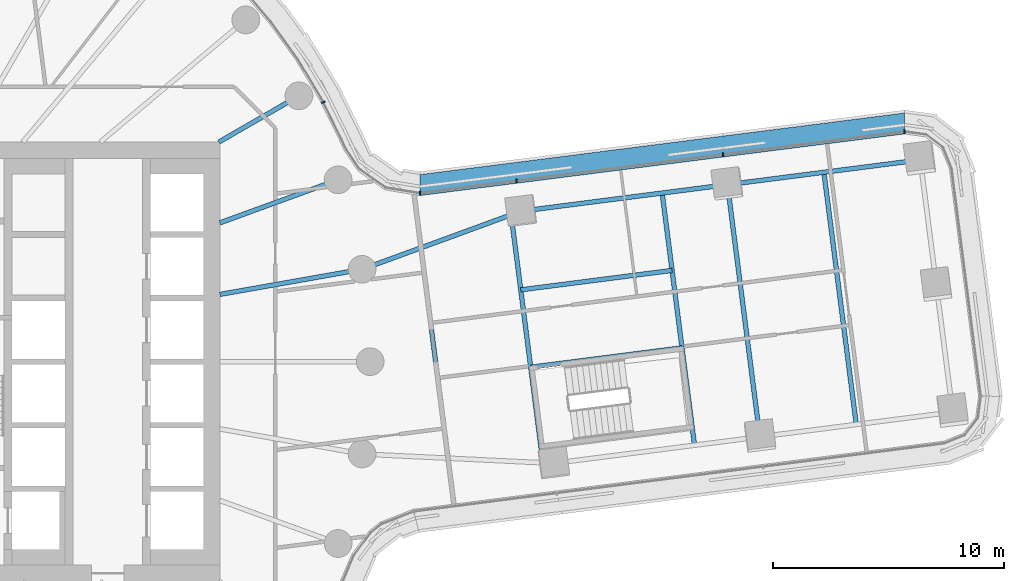
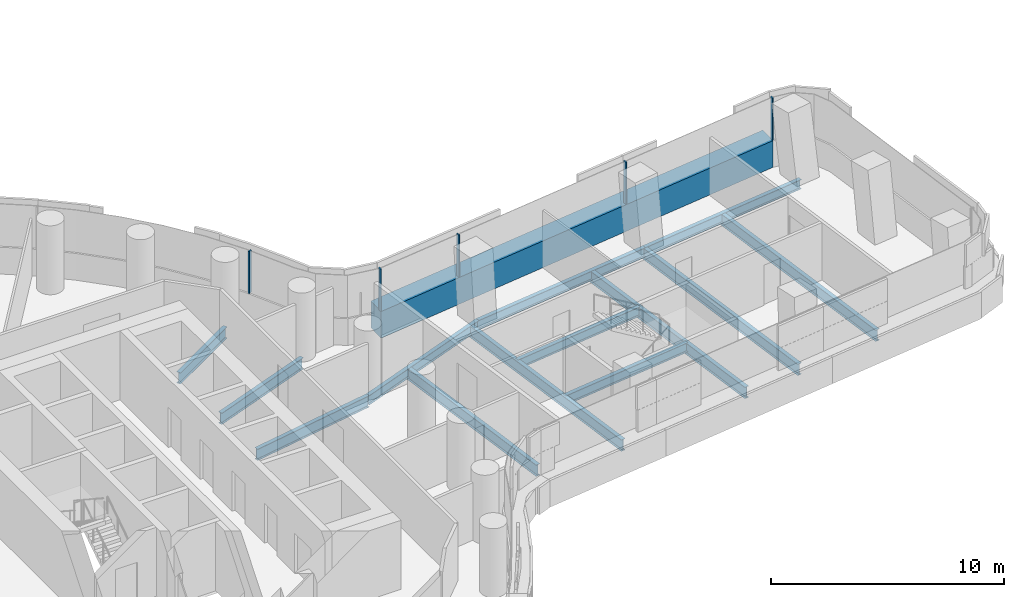
# One storey, part 11 of 31: 13 beams, 6 members, 2 elements without a shape of their own.
"""IFC4 building model written with IfcOpenShell, lengths in metres."""

from ifc_helpers import new_model, si_unit, direction, frame, origin, origin_2d, place, context, subcontext, project, spatial, polyline, rectangle, i_section, outline, extrude, material, layer, layer_set, material_profile, profile_set, type_object, element, aggregate, save


model = new_model("IFC4")

# Units and contexts
model_context = context("Model", 3, precision=1e-05, world=origin(), true_north=direction((0.0, 1.0)))
body_context = subcontext(model_context, "Body", "Model", "MODEL_VIEW")
ifc_project = project(units=[si_unit("LENGTHUNIT", "METRE"), si_unit("AREAUNIT", "SQUARE_METRE"), si_unit("VOLUMEUNIT", "CUBIC_METRE"), si_unit("PLANEANGLEUNIT", "RADIAN"), si_unit("MASSUNIT", "GRAM", prefix="KILO")], contexts=[model_context])

# Site, building, storey
site_placement = place(None, origin())
site = spatial("IfcSite", under=ifc_project, at=site_placement, CompositionType="ELEMENT")
building_placement = place(site_placement, origin())
building = spatial("IfcBuilding", under=site, at=building_placement, Name="Tamarind Cross Interchange Tower", CompositionType="ELEMENT")
storey_placement = place(building_placement, frame((0.0, 0.0, 60.25)))
storey = spatial("IfcBuildingStorey", under=building, at=storey_placement, Name="L13", CompositionType="ELEMENT", Elevation=60.25)

# Beams
ifc_material_1 = material(Name="Steel Q355B", Category="steel")
ifc_material_profile_1 = material_profile(ifc_material_1, i_section(OverallWidth=0.198974609375, OverallDepth=0.49609375, WebThickness=0.009033203125, FlangeThickness=0.013916015625, FilletRadius=0.012939453125, at=origin_2d()), Name="HN 496x199x9x14")
ifc_profile_set_1 = profile_set([ifc_material_profile_1], Name="Steel Q355B")
beam_type_1 = type_object("IfcBeamType", Name="Composite beam HN 496x199x9x14 Q355B", PredefinedType="BEAM", material=ifc_profile_set_1)
beam_1_placement = place(storey_placement, frame((46.7998046875, 8.72802734375, -0.387939453125), z_axis=(-0.99186334483, -0.127307129349, 0.0), x_axis=(0.127307129349, -0.99186334483, 0.0)))
element("IfcBeam", 1, at=beam_1_placement, inside=storey, type_object=beam_type_1, Name="Beam E-edgeep2", PredefinedType="BEAM", context=body_context, shape_type="SweptSolid", body=[
    extrude(i_section(OverallWidth=0.198974609375, OverallDepth=0.49609375, WebThickness=0.009033203125, FlangeThickness=0.013916015625, FilletRadius=0.012939453125, at=origin_2d()), origin(), (0.0, 0.0, 1.0), 8.4091796875),
])
beam_2_placement = place(storey_placement, frame((38.458984375, 7.657470703125, -0.387939453125), z_axis=(-0.991866918973, -0.127279279724, 0.0), x_axis=(0.127279279724, -0.991866918973, 0.0)))
element("IfcBeam", 2, at=beam_2_placement, inside=storey, type_object=beam_type_1, Name="Beam E-edgeep3", PredefinedType="BEAM", context=body_context, shape_type="SweptSolid", body=[
    extrude(i_section(OverallWidth=0.198974609375, OverallDepth=0.49609375, WebThickness=0.009033203125, FlangeThickness=0.013916015625, FilletRadius=0.012939453125, at=origin_2d()), origin(), (0.0, 0.0, 1.0), 9.0),
])
beam_3_placement = place(storey_placement, frame((29.5322265625, 6.511962890625, -0.387939453125), z_axis=(-0.939104758982, -0.343630981805, 0.0), x_axis=(0.343630981805, -0.939104758982, 0.0)))
element("IfcBeam", 3, at=beam_3_placement, inside=storey, type_object=beam_type_1, Name="Beam E-linkep", PredefinedType="BEAM", context=body_context, shape_type="SweptSolid", body=[
    extrude(i_section(OverallWidth=0.198974609375, OverallDepth=0.49609375, WebThickness=0.009033203125, FlangeThickness=0.013916015625, FilletRadius=0.012939453125, at=origin_2d()), origin(), (0.0, 0.0, 1.0), 7.327880859375),
])
beam_4_placement = place(storey_placement, frame((29.9453125, -0.240478515625, -0.387939453125), z_axis=(0.991865625356, 0.127289360267, 0.0), x_axis=(-0.127289360267, 0.991865625356, 0.0)))
element("IfcBeam", 4, at=beam_4_placement, inside=storey, type_object=beam_type_1, Name="Beam E-tr1", PredefinedType="BEAM", context=body_context, shape_type="SweptSolid", body=[
    extrude(i_section(OverallWidth=0.198974609375, OverallDepth=0.49609375, WebThickness=0.009033203125, FlangeThickness=0.013916015625, FilletRadius=0.012939453125, at=origin_2d()), origin(), (0.0, 0.0, 1.0), 6.599853515625),
])
beam_5_placement = place(storey_placement, frame((29.515625, 3.10693359375, -0.387939453125), z_axis=(0.991861554001, 0.12732108111, 0.0), x_axis=(-0.12732108111, 0.991861554001, 0.0)))
element("IfcBeam", 5, at=beam_5_placement, inside=storey, type_object=beam_type_1, Name="Beam E-stripp", PredefinedType="BEAM", context=body_context, shape_type="SweptSolid", body=[
    extrude(i_section(OverallWidth=0.198974609375, OverallDepth=0.49609375, WebThickness=0.009033203125, FlangeThickness=0.013916015625, FilletRadius=0.012939453125, at=origin_2d()), origin(), (0.0, 0.0, 1.0), 6.60009765625),
])
ifc_material_profile_2 = material_profile(ifc_material_1, i_section(OverallWidth=0.198974609375, OverallDepth=0.595947265625, WebThickness=0.010009765625, FlangeThickness=0.014892578125, FilletRadius=0.012939453125, at=origin_2d()), Name="HN 596x199x10x15")
ifc_profile_set_2 = profile_set([ifc_material_profile_2], Name="Steel Q355B")
beam_type_2 = type_object("IfcBeamType", Name="Composite beam HN 596x199x10x15 Q355B", PredefinedType="BEAM", material=ifc_profile_set_2)
beam_6_placement = place(storey_placement, frame((22.650634765625, 3.993896484375, -0.43798828125), z_axis=(-0.984809127561, -0.173640382036, 0.0), x_axis=(0.173640382036, -0.984809127561, 0.0)))
element("IfcBeam", 6, at=beam_6_placement, inside=storey, type_object=beam_type_2, Name="Beam HH01", PredefinedType="BEAM", context=body_context, shape_type="SweptSolid", body=[
    extrude(i_section(OverallWidth=0.198974609375, OverallDepth=0.595947265625, WebThickness=0.010009765625, FlangeThickness=0.014892578125, FilletRadius=0.012939453125, at=origin_2d()), origin(), (0.0, 0.0, 1.0), 6.24560546875),
])
beam_7_placement = place(storey_placement, frame((21.613037109375, 7.866455078125, -0.43798828125), z_axis=(-0.939701685589, -0.341995236956, 0.0), x_axis=(0.341995236956, -0.939701685589, 0.0)))
element("IfcBeam", 7, at=beam_7_placement, inside=storey, type_object=beam_type_2, Name="Beam HH02", PredefinedType="BEAM", context=body_context, shape_type="SweptSolid", body=[
    extrude(i_section(OverallWidth=0.198974609375, OverallDepth=0.595947265625, WebThickness=0.010009765625, FlangeThickness=0.014892578125, FilletRadius=0.012939453125, at=origin_2d()), origin(), (0.0, 0.0, 1.0), 5.441162109375),
])
beam_8_placement = place(storey_placement, frame((19.918701171875, 11.5, -0.43798828125), z_axis=(-0.866026010844, -0.49999894854, 0.0), x_axis=(0.49999894854, -0.866026010844, 0.0)))
element("IfcBeam", 8, at=beam_8_placement, inside=storey, type_object=beam_type_2, Name="Beam HH03", PredefinedType="BEAM", context=body_context, shape_type="SweptSolid", body=[
    extrude(i_section(OverallWidth=0.198974609375, OverallDepth=0.595947265625, WebThickness=0.010009765625, FlangeThickness=0.014892578125, FilletRadius=0.012939453125, at=origin_2d()), origin(), (0.0, 0.0, 1.0), 4.0),
])
ifc_material_profile_3 = material_profile(ifc_material_1, i_section(OverallWidth=0.199951171875, OverallDepth=0.60009765625, WebThickness=0.010986328125, FlangeThickness=0.01708984375, FilletRadius=0.012939453125, at=origin_2d()), Name="HN 600x200x11x17")
ifc_profile_set_3 = profile_set([ifc_material_profile_3], Name="Steel Q355B")
beam_type_3 = type_object("IfcBeamType", Name="Composite beam HN 600x200x11x17 Q355B", PredefinedType="BEAM", material=ifc_profile_set_3)
beam_9_placement = place(storey_placement, frame((30.47607421875, -4.37646484375, -0.43994140625), z_axis=(-0.127308922386, 0.991863114689, 0.0), x_axis=(-0.991863114689, -0.127308922386, 0.0)))
element("IfcBeam", 9, at=beam_9_placement, inside=storey, type_object=beam_type_3, Name="Beam E-x298", PredefinedType="BEAM", context=body_context, shape_type="SweptSolid", body=[
    extrude(i_section(OverallWidth=0.199951171875, OverallDepth=0.60009765625, WebThickness=0.010986328125, FlangeThickness=0.01708984375, FilletRadius=0.012939453125, at=origin_2d()), origin(), (0.0, 0.0, 1.0), 10.81787109375),
])
beam_10_placement = place(storey_placement, frame((37.032470703125, -3.61572265625, -0.43994140625), z_axis=(-0.127287492142, 0.991865865097, 0.0), x_axis=(-0.991865865097, -0.127287492142, 0.0)))
element("IfcBeam", 10, at=beam_10_placement, inside=storey, type_object=beam_type_3, Name="Beam E-x364", PredefinedType="BEAM", context=body_context, shape_type="SweptSolid", body=[
    extrude(i_section(OverallWidth=0.199951171875, OverallDepth=0.60009765625, WebThickness=0.010986328125, FlangeThickness=0.01708984375, FilletRadius=0.012939453125, at=origin_2d()), origin(), (0.0, 0.0, 1.0), 10.999755859375),
])
beam_11_placement = place(storey_placement, frame((39.859375, -3.2529296875, -0.43994140625), z_axis=(-0.127309327301, 0.991863062717, 0.0), x_axis=(-0.991863062717, -0.127309327301, 0.0)))
element("IfcBeam", 11, at=beam_11_placement, inside=storey, type_object=beam_type_3, Name="Beam E-x393", PredefinedType="BEAM", context=body_context, shape_type="SweptSolid", body=[
    extrude(i_section(OverallWidth=0.199951171875, OverallDepth=0.60009765625, WebThickness=0.010986328125, FlangeThickness=0.01708984375, FilletRadius=0.012939453125, at=origin_2d()), origin(), (0.0, 0.0, 1.0), 11.0),
])
beam_12_placement = place(storey_placement, frame((26.3671875, -4.175537109375, -0.43994140625), z_axis=(-0.127305256174, 0.991863585253, 0.0), x_axis=(-0.991863585253, -0.127305256174, 0.0)))
element("IfcBeam", 12, at=beam_12_placement, inside=storey, type_object=beam_type_3, Name="Beam E-x258", PredefinedType="BEAM", context=body_context, shape_type="SweptSolid", body=[
    extrude(i_section(OverallWidth=0.199951171875, OverallDepth=0.60009765625, WebThickness=0.010986328125, FlangeThickness=0.01708984375, FilletRadius=0.012939453125, at=origin_2d()), origin(), (0.0, 0.0, 1.0), 9.176513671875),
])
beam_13_placement = place(storey_placement, frame((44.02978515625, -2.7177734375, -0.43994140625), z_axis=(-0.12730652475, 0.991863422431, 0.0), x_axis=(-0.991863422431, -0.12730652475, 0.0)))
element("IfcBeam", 13, at=beam_13_placement, inside=storey, type_object=beam_type_3, Name="Beam E-x435", PredefinedType="BEAM", context=body_context, shape_type="SweptSolid", body=[
    extrude(i_section(OverallWidth=0.199951171875, OverallDepth=0.60009765625, WebThickness=0.010986328125, FlangeThickness=0.01708984375, FilletRadius=0.012939453125, at=origin_2d()), origin(), (0.0, 0.0, 1.0), 11.000244140625),
])

# Curtain wall, members
ifc_material_2 = material(Name="Aluminium 6063-T6", Category="aluminium")
ifc_layer = layer(ifc_material_2, 0.159912109375)
ifc_layer_set = layer_set([ifc_layer], Name="Aluminium 6063-T6")
curtain_wall_type = type_object("IfcCurtainWallType", Name="Office curtain wall, 9.0 m bays", PredefinedType="NOTDEFINED", material=ifc_layer_set)
curtain_wall_1_placement = place(storey_placement, origin())
curtain_wall_1 = element("IfcCurtainWall", 14, at=curtain_wall_1_placement, inside=storey, type_object=curtain_wall_type, Name="CWS-L13-09", PredefinedType="NOTDEFINED")
ifc_material_3 = material(Name="Aluminium and insulated spandrel panel", Category="aluminium")
member_type_1 = type_object("IfcMemberType", Name="Floor-edge blade transom", PredefinedType="USERDEFINED", material=ifc_material_3)
member_1_placement = place(storey_placement, origin())
member_1 = element("IfcMember", 15, at=member_1_placement, type_object=member_type_1, Name="CWT-L13-09", ObjectType="TRANSOM", PredefinedType="USERDEFINED", context=body_context, shape_type="SweptSolid", body=[
    extrude(outline(polyline([(46.11181640625, 9.849609375), (25.14892578125, 7.18359375), (25.16455078125, 8.0927734375), (46.115234375, 10.75732421875), (46.11181640625, 9.849609375)])), origin(), (0.0, 0.0, 1.0), 1.39990234375),
])
ifc_material_profile_4 = material_profile(ifc_material_2, rectangle(XDim=0.06005859375, YDim=0.159912109375, at=origin_2d()), Name="Mullion CW1")
ifc_profile_set_4 = profile_set([ifc_material_profile_4], Name="Aluminium 6063-T6")
member_type_2 = type_object("IfcMemberType", Name="Mullion CW1", PredefinedType="MULLION", material=ifc_profile_set_4)
member_2_placement = place(storey_placement, frame((46.112060546875, 9.950439453125, 1.39990234375), z_axis=(0.0, 0.0, 1.0), x_axis=(-0.999992675258, 0.003827457335, 0.0)))
member_2 = element("IfcMember", 16, at=member_2_placement, type_object=member_type_2, Name="CWM-L13-09-00", PredefinedType="MULLION", context=body_context, shape_type="SweptSolid", body=[
    extrude(rectangle(XDim=0.06005859375, YDim=0.159912109375, at=origin_2d()), origin(), (0.0, 0.0, 1.0), 2.210205078125),
])
member_3_placement = place(storey_placement, frame((38.265380859375, 8.95263671875, 1.39990234375), z_axis=(0.0, 0.0, 1.0), x_axis=(-0.992009784455, -0.126160958881, 0.0)))
member_3 = element("IfcMember", 17, at=member_3_placement, type_object=member_type_2, Name="CWM-L13-09-01", PredefinedType="MULLION", context=body_context, shape_type="SweptSolid", body=[
    extrude(rectangle(XDim=0.06005859375, YDim=0.159912109375, at=origin_2d()), origin(), (0.0, 0.0, 1.0), 2.210205078125),
])
member_4_placement = place(storey_placement, frame((29.3359375, 7.81689453125, 1.39990234375), z_axis=(0.0, 0.0, 1.0), x_axis=(-0.992009784455, -0.126160958881, 0.0)))
member_4 = element("IfcMember", 18, at=member_4_placement, type_object=member_type_2, Name="CWM-L13-09-02", PredefinedType="MULLION", context=body_context, shape_type="SweptSolid", body=[
    extrude(rectangle(XDim=0.06005859375, YDim=0.159912109375, at=origin_2d()), origin(), (0.0, 0.0, 1.0), 2.210205078125),
])
aggregate(curtain_wall_1, [member_2, member_3, member_4, member_1])

curtain_wall_2_placement = place(storey_placement, origin())
curtain_wall_2 = element("IfcCurtainWall", 19, at=curtain_wall_2_placement, inside=storey, type_object=curtain_wall_type, Name="CWS-L13-10", PredefinedType="NOTDEFINED")
member_5_placement = place(storey_placement, frame((25.150634765625, 7.28466796875, 1.39990234375), z_axis=(0.0, 0.0, 1.0), x_axis=(-0.999852162584, 0.01719456239, 0.0)))
member_5 = element("IfcMember", 20, at=member_5_placement, type_object=member_type_2, Name="CWM-L13-10-00", PredefinedType="MULLION", context=body_context, shape_type="SweptSolid", body=[
    extrude(rectangle(XDim=0.06005859375, YDim=0.159912109375, at=origin_2d()), origin(), (0.0, 0.0, 1.0), 2.210205078125),
])
member_6_placement = place(storey_placement, frame((20.974365234375, 11.22216796875, 1.39990234375), z_axis=(0.0, 0.0, 1.0), x_axis=(-0.443058811505, 0.896492548518, 0.0)))
member_6 = element("IfcMember", 21, at=member_6_placement, type_object=member_type_2, Name="CWM-L13-10-01", PredefinedType="MULLION", context=body_context, shape_type="SweptSolid", body=[
    extrude(rectangle(XDim=0.06005859375, YDim=0.159912109375, at=origin_2d()), origin(), (0.0, 0.0, 1.0), 2.210205078125),
])
aggregate(curtain_wall_2, [member_5, member_6])

save(model, "model.ifc")
